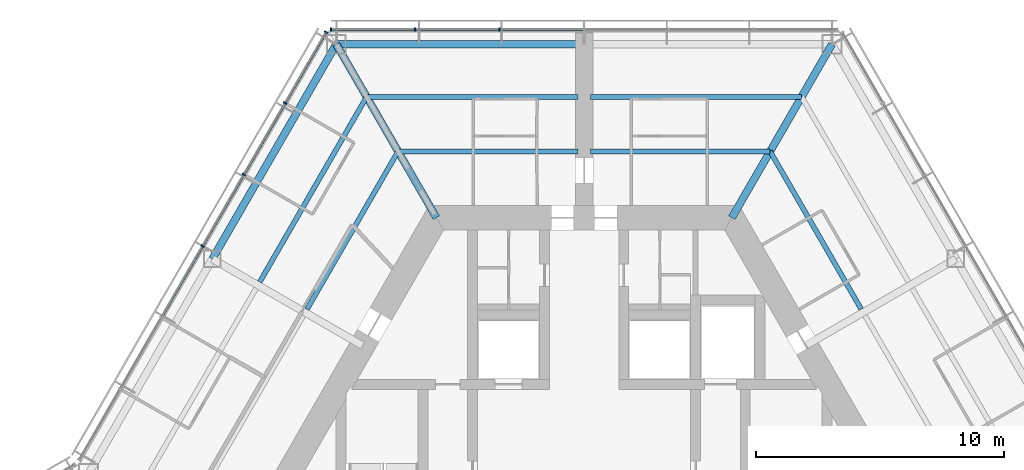
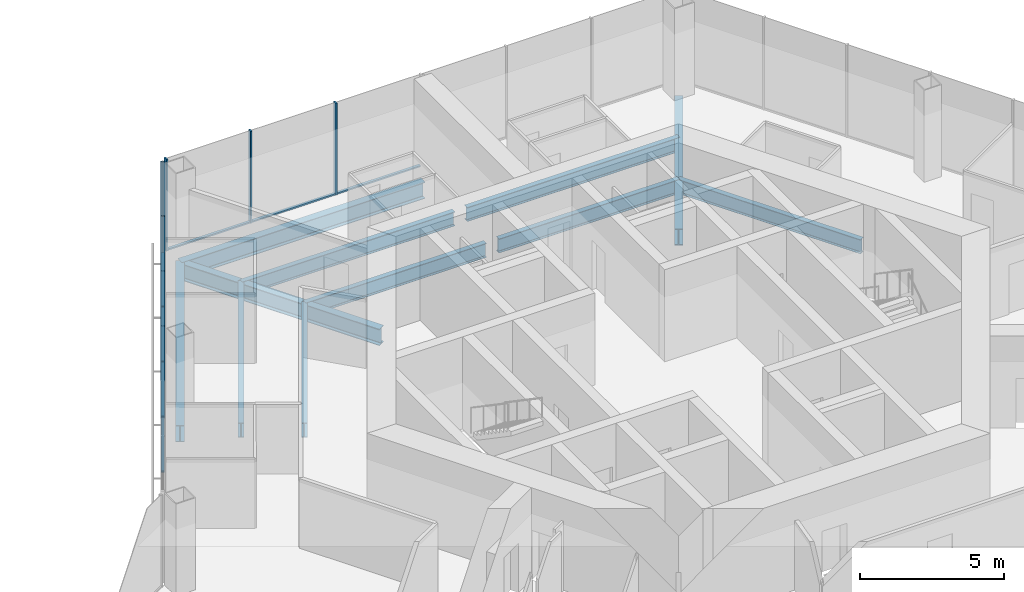
# One storey, part 7 of 18: 14 members, 11 beams, 2 elements without a shape of their own.
"""IFC4 building model written with IfcOpenShell, lengths in metres."""

from ifc_helpers import new_model, si_unit, direction, frame, origin, origin_2d, place, context, subcontext, project, spatial, rectangle, i_section, extrude, material, material_profile, profile_set, type_object, element, aggregate, save


model = new_model("IFC4")

# Units and contexts
model_context = context("Model", 3, precision=1e-05, world=origin(), true_north=direction((0.0, 1.0)))
body_context = subcontext(model_context, "Body", "Model", "MODEL_VIEW")
ifc_project = project(units=[si_unit("LENGTHUNIT", "METRE"), si_unit("AREAUNIT", "SQUARE_METRE"), si_unit("VOLUMEUNIT", "CUBIC_METRE"), si_unit("PLANEANGLEUNIT", "RADIAN"), si_unit("MASSUNIT", "GRAM", prefix="KILO")], contexts=[model_context])

# Site, building, storey
site_placement = place(None, origin())
site = spatial("IfcSite", under=ifc_project, at=site_placement, CompositionType="ELEMENT")
building_placement = place(site_placement, origin())
building = spatial("IfcBuilding", under=site, at=building_placement, Name="Kasaneha Research Tower", CompositionType="ELEMENT")
storey_placement = place(building_placement, frame((0.0, 0.0, 140.89990234375)))
storey = spatial("IfcBuildingStorey", under=building, at=storey_placement, Name="L35", CompositionType="ELEMENT", Elevation=140.89990234375)

# Beams
ifc_material_1 = material(Name="Steel SN490B", Category="steel")
ifc_material_profile_1 = material_profile(ifc_material_1, i_section(OverallWidth=0.199951171875, OverallDepth=0.60009765625, WebThickness=0.010986328125, FlangeThickness=0.01708984375, FilletRadius=0.012939453125, at=origin_2d()), Name="H-600x200x11x17")
ifc_profile_set_1 = profile_set([ifc_material_profile_1], Name="Steel SN490B")
beam_type_1 = type_object("IfcBeamType", Name="B1-3 secondary beam H-600x200x11x17", PredefinedType="JOIST", material=ifc_profile_set_1)
beam_1_placement = place(storey_placement, frame((7.505615234375, 13.0, -0.449951171875), z_axis=(0.499994443168, -0.866028611999, 0.0), x_axis=(0.866028611999, 0.499994443168, 0.0)))
element("IfcBeam", 1, at=beam_1_placement, inside=storey, type_object=beam_type_1, Name="Secondary beam RS030R1 L35", PredefinedType="JOIST", context=body_context, shape_type="SweptSolid", body=[
    extrude(i_section(OverallWidth=0.199951171875, OverallDepth=0.60009765625, WebThickness=0.010986328125, FlangeThickness=0.01708984375, FilletRadius=0.012939453125, at=origin_2d()), origin(), (0.0, 0.0, 1.0), 7.35546875),
])
beam_2_placement = place(storey_placement, frame((7.505615234375, 13.0, -0.449951171875), z_axis=(-1.0, 0.0, 0.0), x_axis=(0.0, -1.0, 0.0)))
element("IfcBeam", 2, at=beam_2_placement, inside=storey, type_object=beam_type_1, Name="Secondary beam RS090L1 L35", PredefinedType="JOIST", context=body_context, shape_type="SweptSolid", body=[
    extrude(i_section(OverallWidth=0.199951171875, OverallDepth=0.60009765625, WebThickness=0.010986328125, FlangeThickness=0.01708984375, FilletRadius=0.012939453125, at=origin_2d()), origin(), (0.0, 0.0, 1.0), 7.255615234375),
])
beam_3_placement = place(storey_placement, frame((8.775634765625, 15.199951171875, -0.449951171875), z_axis=(-1.0, 0.0, 0.0), x_axis=(0.0, -1.0, 0.0)))
element("IfcBeam", 3, at=beam_3_placement, inside=storey, type_object=beam_type_1, Name="Secondary beam RS090L2 L35", PredefinedType="JOIST", context=body_context, shape_type="SweptSolid", body=[
    extrude(i_section(OverallWidth=0.199951171875, OverallDepth=0.60009765625, WebThickness=0.010986328125, FlangeThickness=0.01708984375, FilletRadius=0.012939453125, at=origin_2d()), origin(), (0.0, 0.0, 1.0), 8.525634765625),
])
beam_4_placement = place(storey_placement, frame((-7.505615234375, 13.0, -0.449951171875), z_axis=(1.0, 0.0, 0.0), x_axis=(0.0, 1.0, 0.0)))
element("IfcBeam", 4, at=beam_4_placement, inside=storey, type_object=beam_type_1, Name="Secondary beam RS090R1 L35", PredefinedType="JOIST", context=body_context, shape_type="SweptSolid", body=[
    extrude(i_section(OverallWidth=0.199951171875, OverallDepth=0.60009765625, WebThickness=0.010986328125, FlangeThickness=0.01708984375, FilletRadius=0.012939453125, at=origin_2d()), origin(), (0.0, 0.0, 1.0), 7.255615234375),
])
beam_5_placement = place(storey_placement, frame((-8.775634765625, 15.199951171875, -0.449951171875), z_axis=(1.0, 0.0, 0.0), x_axis=(0.0, 1.0, 0.0)))
element("IfcBeam", 5, at=beam_5_placement, inside=storey, type_object=beam_type_1, Name="Secondary beam RS090R2 L35", PredefinedType="JOIST", context=body_context, shape_type="SweptSolid", body=[
    extrude(i_section(OverallWidth=0.199951171875, OverallDepth=0.60009765625, WebThickness=0.010986328125, FlangeThickness=0.01708984375, FilletRadius=0.012939453125, at=origin_2d()), origin(), (0.0, 0.0, 1.0), 8.525634765625),
])
beam_6_placement = place(storey_placement, frame((-7.505615234375, 13.0, -0.449951171875), z_axis=(-0.499994443168, -0.866028611999, 0.0), x_axis=(0.866028611999, -0.499994443168, 0.0)))
element("IfcBeam", 6, at=beam_6_placement, inside=storey, type_object=beam_type_1, Name="Secondary beam RS150L1 L35", PredefinedType="JOIST", context=body_context, shape_type="SweptSolid", body=[
    extrude(i_section(OverallWidth=0.199951171875, OverallDepth=0.60009765625, WebThickness=0.010986328125, FlangeThickness=0.01708984375, FilletRadius=0.012939453125, at=origin_2d()), origin(), (0.0, 0.0, 1.0), 7.35546875),
])
beam_7_placement = place(storey_placement, frame((-8.775634765625, 15.199951171875, -0.449951171875), z_axis=(-0.500017275495, -0.866015429543, 0.0), x_axis=(0.866015429543, -0.500017275495, 0.0)))
element("IfcBeam", 7, at=beam_7_placement, inside=storey, type_object=beam_type_1, Name="Secondary beam RS150L2 L35", PredefinedType="JOIST", context=body_context, shape_type="SweptSolid", body=[
    extrude(i_section(OverallWidth=0.199951171875, OverallDepth=0.60009765625, WebThickness=0.010986328125, FlangeThickness=0.01708984375, FilletRadius=0.012939453125, at=origin_2d()), origin(), (0.0, 0.0, 1.0), 8.625732421875),
])

# Curtain wall, members
ifc_material_2 = material(Name="Glass and aluminium", Category="aluminium")
curtain_wall_type = type_object("IfcCurtainWallType", Name="Mid-rise office curtain wall", PredefinedType="USERDEFINED", material=ifc_material_2)
curtain_wall_1_placement = place(storey_placement, origin())
curtain_wall_1 = element("IfcCurtainWall", 8, at=curtain_wall_1_placement, inside=storey, type_object=curtain_wall_type, Name="CW-O2 L35 run 07a", ObjectType="UNITISED CURTAIN WALL", PredefinedType="USERDEFINED")
ifc_material_3 = material(Name="Aluminium 6063-T6", Category="aluminium")
ifc_material_profile_2 = material_profile(ifc_material_3, rectangle(XDim=0.06005859375, YDim=0.14990234375, at=origin_2d()), Name="CW-O2 mullion 60x150")
ifc_profile_set_2 = profile_set([ifc_material_profile_2], Name="Aluminium 6063-T6")
member_type_1 = type_object("IfcMemberType", Name="CW-O2 mullion", PredefinedType="MULLION", material=ifc_profile_set_2)
member_1_placement = place(storey_placement, frame((-3.41552734375, 17.92041015625, 0.0), z_axis=(0.0, 0.0, 1.0), x_axis=(-1.0, 0.0, 0.0)))
member_1 = element("IfcMember", 9, at=member_1_placement, type_object=member_type_1, Name="CW-O2 mullion 5", PredefinedType="MULLION", context=body_context, shape_type="SweptSolid", body=[
    extrude(rectangle(XDim=0.06005859375, YDim=0.14990234375, at=origin_2d()), origin(), (0.0, 0.0, 1.0), 3.900146484375),
])
member_2_placement = place(storey_placement, frame((-6.8310546875, 17.92041015625, 0.0), z_axis=(0.0, 0.0, 1.0), x_axis=(-1.0, 0.0, 0.0)))
member_2 = element("IfcMember", 10, at=member_2_placement, type_object=member_type_1, Name="CW-O2 mullion 6", PredefinedType="MULLION", context=body_context, shape_type="SweptSolid", body=[
    extrude(rectangle(XDim=0.06005859375, YDim=0.14990234375, at=origin_2d()), origin(), (0.0, 0.0, 1.0), 3.900146484375),
])
member_3_placement = place(storey_placement, frame((-10.21630859375, 17.92041015625, 0.0), z_axis=(0.0, 0.0, 1.0), x_axis=(-1.0, 0.0, 0.0)))
member_3 = element("IfcMember", 11, at=member_3_placement, type_object=member_type_1, Name="CW-O2 mullion 7", PredefinedType="MULLION", context=body_context, shape_type="SweptSolid", body=[
    extrude(rectangle(XDim=0.06005859375, YDim=0.14990234375, at=origin_2d()), origin(), (0.0, 0.0, 1.0), 3.900146484375),
])

curtain_wall_2_placement = place(storey_placement, origin())
curtain_wall_2 = element("IfcCurtainWall", 12, at=curtain_wall_2_placement, inside=storey, type_object=curtain_wall_type, Name="CW-O2 L35 run 08a", ObjectType="UNITISED CURTAIN WALL", PredefinedType="USERDEFINED")
member_4_placement = place(storey_placement, frame((-10.411376953125, 17.807861328125, 0.0), z_axis=(0.0, 0.0, 1.0), x_axis=(-0.499999979232, -0.866025415775, 0.0)))
member_4 = element("IfcMember", 13, at=member_4_placement, type_object=member_type_1, Name="CW-O2 mullion 1", PredefinedType="MULLION", context=body_context, shape_type="SweptSolid", body=[
    extrude(rectangle(XDim=0.06005859375, YDim=0.14990234375, at=origin_2d()), origin(), (0.0, 0.0, 1.0), 3.900146484375),
])
member_5_placement = place(storey_placement, frame((-12.061767578125, 14.94921875, 0.0), z_axis=(0.0, 0.0, 1.0), x_axis=(-0.499999979232, -0.866025415775, 0.0)))
member_5 = element("IfcMember", 14, at=member_5_placement, type_object=member_type_1, Name="CW-O2 mullion 2", PredefinedType="MULLION", context=body_context, shape_type="SweptSolid", body=[
    extrude(rectangle(XDim=0.06005859375, YDim=0.14990234375, at=origin_2d()), origin(), (0.0, 0.0, 1.0), 3.900146484375),
])
member_6_placement = place(storey_placement, frame((-13.727294921875, 12.064453125, 0.0), z_axis=(0.0, 0.0, 1.0), x_axis=(-0.499999979232, -0.866025415775, 0.0)))
member_6 = element("IfcMember", 15, at=member_6_placement, type_object=member_type_1, Name="CW-O2 mullion 3", PredefinedType="MULLION", context=body_context, shape_type="SweptSolid", body=[
    extrude(rectangle(XDim=0.06005859375, YDim=0.14990234375, at=origin_2d()), origin(), (0.0, 0.0, 1.0), 3.900146484375),
])
member_7_placement = place(storey_placement, frame((-15.392822265625, 9.179931640625, 0.0), z_axis=(0.0, 0.0, 1.0), x_axis=(-0.499999979232, -0.866025415775, 0.0)))
member_7 = element("IfcMember", 16, at=member_7_placement, type_object=member_type_1, Name="CW-O2 mullion 4", PredefinedType="MULLION", context=body_context, shape_type="SweptSolid", body=[
    extrude(rectangle(XDim=0.06005859375, YDim=0.14990234375, at=origin_2d()), origin(), (0.0, 0.0, 1.0), 3.900146484375),
])

# Member
ifc_material_4 = material(Name="Aluminium 6063-T6", Category="aluminium")
ifc_material_profile_3 = material_profile(ifc_material_4, rectangle(XDim=0.110107421875, YDim=0.06005859375, at=origin_2d()), Name="CW-O2 transom 110x60")
ifc_profile_set_3 = profile_set([ifc_material_profile_3], Name="Aluminium 6063-T6")
member_type_2 = type_object("IfcMemberType", Name="CW-O2 transom", PredefinedType="USERDEFINED", material=ifc_profile_set_3)
member_8_placement = place(storey_placement, frame((-0.030029296875, 17.92041015625, 0.030029296875), z_axis=(-1.0, 0.0, 0.0), x_axis=(0.0, -1.0, 0.0)))
member_8 = element("IfcMember", 17, at=member_8_placement, type_object=member_type_2, Name="CW-O2 transom 4", ObjectType="TRANSOM", PredefinedType="USERDEFINED", context=body_context, shape_type="SweptSolid", body=[
    extrude(rectangle(XDim=0.110107421875, YDim=0.06005859375, at=origin_2d()), origin(), (0.0, 0.0, 1.0), 3.35546875),
])

member_9_placement = place(storey_placement, frame((-3.445556640625, 17.92041015625, 0.030029296875), z_axis=(-1.0, 0.0, 0.0), x_axis=(0.0, -1.0, 0.0)))
member_9 = element("IfcMember", 18, at=member_9_placement, type_object=member_type_2, Name="CW-O2 transom 5", ObjectType="TRANSOM", PredefinedType="USERDEFINED", context=body_context, shape_type="SweptSolid", body=[
    extrude(rectangle(XDim=0.110107421875, YDim=0.06005859375, at=origin_2d()), origin(), (0.0, 0.0, 1.0), 3.35546875),
])

member_10_placement = place(storey_placement, frame((-6.86083984375, 17.92041015625, 0.030029296875), z_axis=(-1.0, 0.0, 0.0), x_axis=(0.0, -1.0, 0.0)))
member_10 = element("IfcMember", 19, at=member_10_placement, type_object=member_type_2, Name="CW-O2 transom 6", ObjectType="TRANSOM", PredefinedType="USERDEFINED", context=body_context, shape_type="SweptSolid", body=[
    extrude(rectangle(XDim=0.110107421875, YDim=0.06005859375, at=origin_2d()), origin(), (0.0, 0.0, 1.0), 3.32568359375),
])

aggregate(curtain_wall_1, [member_1, member_2, member_3, member_8, member_9, member_10])

member_11_placement = place(storey_placement, frame((-10.426513671875, 17.781982421875, 0.030029296875), z_axis=(-0.499955025697, -0.866051368154, 0.0), x_axis=(0.866051368154, -0.499955025697, 0.0)))
member_11 = element("IfcMember", 20, at=member_11_placement, type_object=member_type_2, Name="CW-O2 transom 1", ObjectType="TRANSOM", PredefinedType="USERDEFINED", context=body_context, shape_type="SweptSolid", body=[
    extrude(rectangle(XDim=0.110107421875, YDim=0.06005859375, at=origin_2d()), origin(), (0.0, 0.0, 1.0), 3.240966796875),
])

member_12_placement = place(storey_placement, frame((-12.076904296875, 14.92333984375, 0.030029296875), z_axis=(-0.500000270186, -0.866025247793, 0.0), x_axis=(0.866025247793, -0.500000270186, 0.0)))
member_12 = element("IfcMember", 21, at=member_12_placement, type_object=member_type_2, Name="CW-O2 transom 2", ObjectType="TRANSOM", PredefinedType="USERDEFINED", context=body_context, shape_type="SweptSolid", body=[
    extrude(rectangle(XDim=0.110107421875, YDim=0.06005859375, at=origin_2d()), origin(), (0.0, 0.0, 1.0), 3.27099609375),
])

member_13_placement = place(storey_placement, frame((-13.742431640625, 12.03857421875, 0.030029296875), z_axis=(-0.500000270186, -0.866025247793, 0.0), x_axis=(0.866025247793, -0.500000270186, 0.0)))
member_13 = element("IfcMember", 22, at=member_13_placement, type_object=member_type_2, Name="CW-O2 transom 3", ObjectType="TRANSOM", PredefinedType="USERDEFINED", context=body_context, shape_type="SweptSolid", body=[
    extrude(rectangle(XDim=0.110107421875, YDim=0.06005859375, at=origin_2d()), origin(), (0.0, 0.0, 1.0), 3.27099609375),
])

member_14_placement = place(storey_placement, frame((-15.40771484375, 9.15380859375, 0.030029296875), z_axis=(-0.50003259116, -0.866006586452, 0.0), x_axis=(0.866006586452, -0.50003259116, 0.0)))
member_14 = element("IfcMember", 23, at=member_14_placement, type_object=member_type_2, Name="CW-O2 transom 4", ObjectType="TRANSOM", PredefinedType="USERDEFINED", context=body_context, shape_type="SweptSolid", body=[
    extrude(rectangle(XDim=0.110107421875, YDim=0.06005859375, at=origin_2d()), origin(), (0.0, 0.0, 1.0), 3.270751953125),
])

aggregate(curtain_wall_2, [member_4, member_5, member_6, member_7, member_11, member_12, member_13, member_14])

# Beams
ifc_material_5 = material(Name="Steel SN490B", Category="steel")
ifc_material_profile_4 = material_profile(ifc_material_5, i_section(OverallWidth=0.300048828125, OverallDepth=0.699951171875, WebThickness=0.012939453125, FlangeThickness=0.02392578125, FilletRadius=0.01806640625, at=origin_2d()), Name="H-700x300x13x24")
ifc_profile_set_4 = profile_set([ifc_material_profile_4], Name="Steel SN490B")
beam_type_2 = type_object("IfcBeamType", Name="G1-3 radial girder H-700x300x13x24", PredefinedType="BEAM", material=ifc_profile_set_4)
for number, where, z_axis, x_axis, name in (
    (24, (5.961181640625, 10.324951171875, -0.5), (0.49999105496, 0.866030568144, 0.0), (-0.866030568144, 0.49999105496, 0.0), "Radial girder RV060 L35"),
    (25, (-5.961181640625, 10.324951171875, -0.5), (-0.49999105496, 0.866030568144, 0.0), (-0.866030568144, -0.49999105496, 0.0), "Radial girder RV120 L35"),
):
    element("IfcBeam", number, at=place(storey_placement, frame(where, z_axis=z_axis, x_axis=x_axis)), inside=storey, type_object=beam_type_2, Name=name, PredefinedType="BEAM", context=body_context, shape_type="SweptSolid", body=[
        extrude(i_section(OverallWidth=0.300048828125, OverallDepth=0.699951171875, WebThickness=0.012939453125, FlangeThickness=0.02392578125, FilletRadius=0.01806640625, at=origin_2d()), origin(), (0.0, 0.0, 1.0), 8.077880859375),
    ])
ifc_material_6 = material(Name="Steel SN490B", Category="steel")
ifc_material_profile_5 = material_profile(ifc_material_6, i_section(OverallWidth=0.300048828125, OverallDepth=0.69189453125, WebThickness=0.012939453125, FlangeThickness=0.02001953125, FilletRadius=0.01806640625, at=origin_2d()), Name="H-692x300x13x20")
ifc_profile_set_5 = profile_set([ifc_material_profile_5], Name="Steel SN490B")
beam_type_3 = type_object("IfcBeamType", Name="G3-3 plate edge girder H-692x300x13x20", PredefinedType="BEAM", material=ifc_profile_set_5)
beam_8_placement = place(storey_placement, frame((-10.0, 17.320556640625, -0.495849609375), z_axis=(1.0, 0.0, 0.0), x_axis=(0.0, 1.0, 0.0)))
element("IfcBeam", 26, at=beam_8_placement, inside=storey, type_object=beam_type_3, Name="Plate edge girder PEAN L35", PredefinedType="BEAM", context=body_context, shape_type="SweptSolid", body=[
    extrude(i_section(OverallWidth=0.300048828125, OverallDepth=0.69189453125, WebThickness=0.012939453125, FlangeThickness=0.02001953125, FilletRadius=0.01806640625, at=origin_2d()), origin(), (0.0, 0.0, 1.0), 9.75),
])
ifc_material_7 = material(Name="Steel SN490B", Category="steel")
ifc_material_profile_6 = material_profile(ifc_material_7, i_section(OverallWidth=0.300048828125, OverallDepth=0.69189453125, WebThickness=0.012939453125, FlangeThickness=0.02001953125, FilletRadius=0.01806640625, at=origin_2d()), Name="H-692x300x13x20")
ifc_profile_set_6 = profile_set([ifc_material_profile_6], Name="Steel SN490B")
beam_type_4 = type_object("IfcBeamType", Name="SB1-3 spandrel beam H-692x300x13x20", PredefinedType="SPANDREL", material=ifc_profile_set_6)
beam_9_placement = place(storey_placement, frame((-10.0, 17.320556640625, -0.495849609375), z_axis=(-0.499993662806, -0.866029062534, 0.0), x_axis=(0.866029062534, -0.499993662806, 0.0)))
element("IfcBeam", 27, at=beam_9_placement, inside=storey, type_object=beam_type_4, Name="Spandrel beam SR150L L35", PredefinedType="SPANDREL", context=body_context, shape_type="SweptSolid", body=[
    extrude(i_section(OverallWidth=0.300048828125, OverallDepth=0.69189453125, WebThickness=0.012939453125, FlangeThickness=0.02001953125, FilletRadius=0.01806640625, at=origin_2d()), origin(), (0.0, 0.0, 1.0), 10.000244140625),
])

save(model, "model.ifc")
